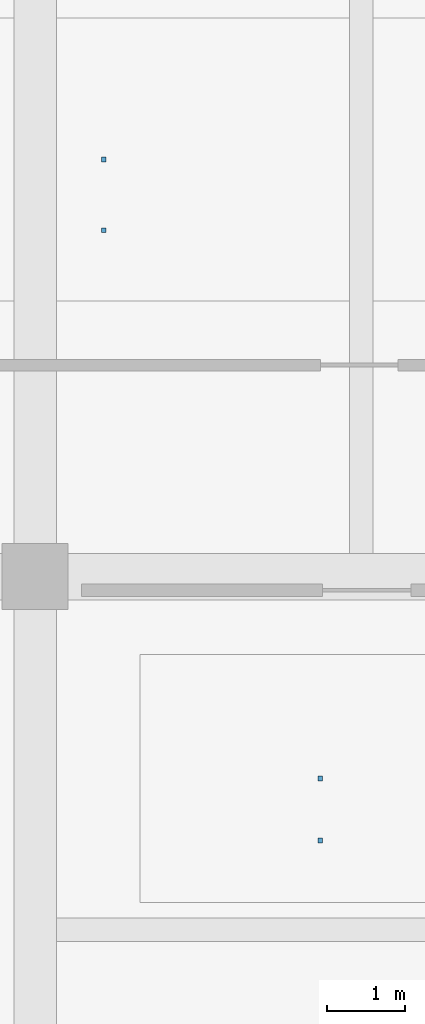
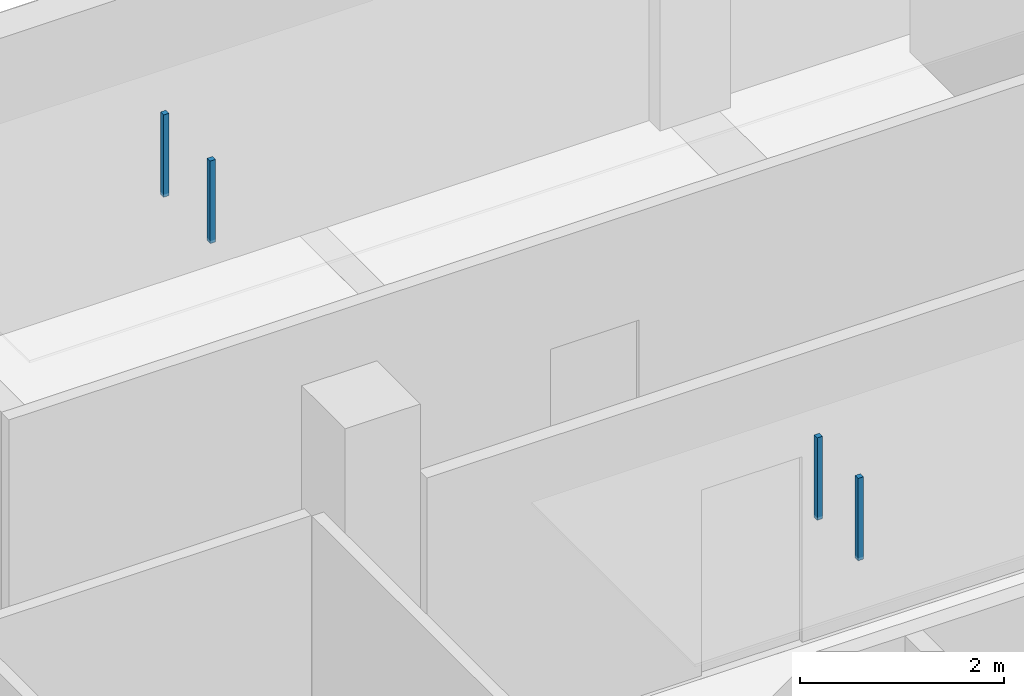
# One storey, part 17 of 35: 4 discrete accessories.
"""IFC4 building model written with IfcOpenShell, lengths in metres."""

from ifc_helpers import new_model, si_unit, direction, frame, origin, origin_2d, place, context, subcontext, project, spatial, rectangle, extrude, material, type_object, element, save


model = new_model("IFC4")

# Units and contexts
model_context = context("Model", 3, precision=1e-05, world=origin(), true_north=direction((0.0, 1.0)))
body_context = subcontext(model_context, "Body", "Model", "MODEL_VIEW")
ifc_project = project(units=[si_unit("LENGTHUNIT", "METRE"), si_unit("AREAUNIT", "SQUARE_METRE"), si_unit("VOLUMEUNIT", "CUBIC_METRE"), si_unit("PLANEANGLEUNIT", "RADIAN"), si_unit("MASSUNIT", "GRAM", prefix="KILO")], contexts=[model_context])

# Site, building, storey
site_placement = place(None, origin())
site = spatial("IfcSite", under=ifc_project, at=site_placement, CompositionType="ELEMENT")
building_placement = place(site_placement, origin())
building = spatial("IfcBuilding", under=site, at=building_placement, Name="Telukmera Botanical Conservatory", CompositionType="ELEMENT")
storey_placement = place(building_placement, frame((0.0, 0.0, 28.5)))
storey = spatial("IfcBuildingStorey", under=building, at=storey_placement, Name="L06", CompositionType="ELEMENT", Elevation=28.5)

# Discrete accessories
ifc_material = material(Name="Steel S355", Category="steel")
discrete_accessory_type = type_object("IfcDiscreteAccessoryType", Name="ACC-CEIL-HGR", PredefinedType="BRACKET", material=ifc_material)
for number, where, z_axis, x_axis, name in (
    (1, (79.27099609375, 31.0, 3.31982421875), (0.0, 0.0, 1.0), (1.0, 0.0, 0.0), "L06 Suspended Ceiling Hanger Rod 011-1"),
    (2, (79.27099609375, 31.800048828125, 3.31982421875), (0.0, 0.0, 1.0), (1.0, 0.0, 0.0), "L06 Suspended Ceiling Hanger Rod 011-2"),
    (3, (76.485107421875, 38.862548828125, 3.31982421875), (0.0, 0.0, 1.0), (1.0, 0.0, 0.0), "L06 Suspended Ceiling Hanger Rod 037-1"),
    (4, (76.485107421875, 39.77490234375, 3.31982421875), (0.0, 0.0, 1.0), (1.0, 0.0, 0.0), "L06 Suspended Ceiling Hanger Rod 037-2"),
):
    element("IfcDiscreteAccessory", number, at=place(storey_placement, frame(where, z_axis=z_axis, x_axis=x_axis)), inside=storey, type_object=discrete_accessory_type, Name=name, PredefinedType="BRACKET", context=body_context, shape_type="SweptSolid", body=[
        extrude(rectangle(XDim=0.06005859375, YDim=0.06005859375, at=origin_2d()), origin(), (0.0, 0.0, 1.0), 0.985107421875),
    ])

save(model, "model.ifc")
